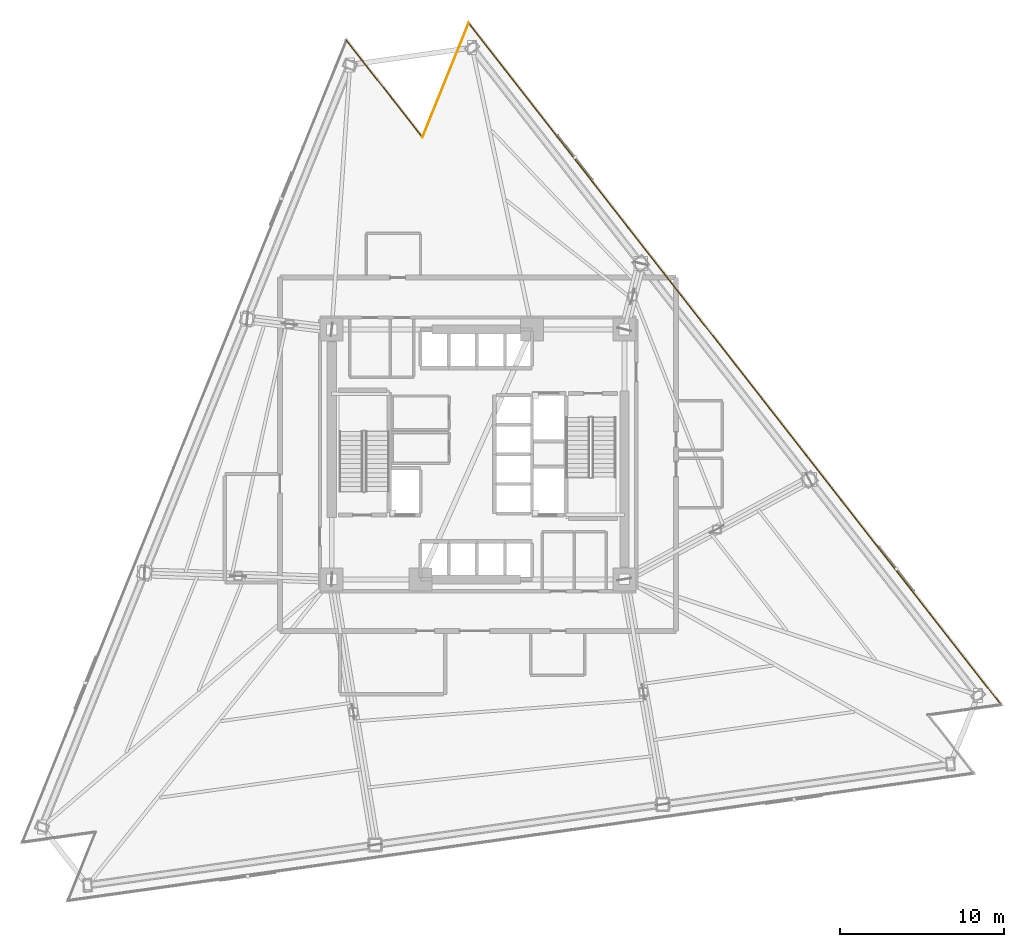
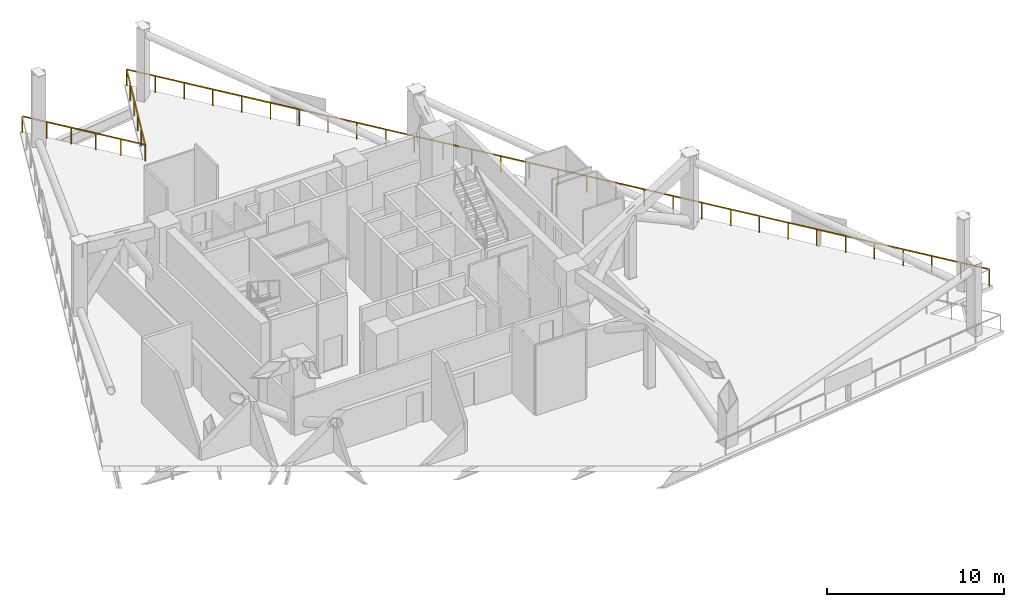
# One storey, part 13 of 13: 3 railings.
"""IFC4 building model written with IfcOpenShell, lengths in metres."""

from ifc_helpers import new_model, si_unit, direction, frame, origin, origin_2d, place, context, subcontext, project, spatial, rectangle, extrude, material, type_object, element, save


model = new_model("IFC4")

# Units and contexts
model_context = context("Model", 3, precision=1e-05, world=origin(), true_north=direction((0.0, 1.0)))
body_context = subcontext(model_context, "Body", "Model", "MODEL_VIEW")
ifc_project = project(units=[si_unit("LENGTHUNIT", "METRE"), si_unit("AREAUNIT", "SQUARE_METRE"), si_unit("VOLUMEUNIT", "CUBIC_METRE"), si_unit("PLANEANGLEUNIT", "RADIAN"), si_unit("MASSUNIT", "GRAM", prefix="KILO")], contexts=[model_context])

# Site, building, storey
site_placement = place(None, origin())
site = spatial("IfcSite", under=ifc_project, at=site_placement, CompositionType="ELEMENT")
building_placement = place(site_placement, origin())
building = spatial("IfcBuilding", under=site, at=building_placement, Name="Tharavind Bronze Gate", CompositionType="ELEMENT")
storey_placement = place(building_placement, frame((0.0, 0.0, 81.10009765625)))
storey = spatial("IfcBuildingStorey", under=building, at=storey_placement, Name="L20", CompositionType="ELEMENT", Elevation=81.10009765625)

# Railings
ifc_material = material(Name="Bronze Cap & Laminated Glass", Category="glass")
railing_type = type_object("IfcRailingType", Name="TERRACE GLASS GUARD RAILING 1150", PredefinedType="GUARDRAIL", material=ifc_material)
railing_1_placement = place(storey_placement, frame((-0.57373046875, 26.226806640625, 0.0)))
element("IfcRailing", 1, at=railing_1_placement, inside=storey, type_object=railing_type, Name="L20 open wind floor perimeter guard railing 1", PredefinedType="GUARDRAIL", context=body_context, shape_type="SweptSolid", body=[
    extrude(rectangle(XDim=0.048095703125, YDim=0.048095703125, at=origin_2d()), frame((-0.011962890625, -0.02978515625, 1.1259765625), z_axis=(-0.374609979755, -0.92718248639, 0.0), x_axis=(0.92718248639, -0.374609979755, 0.0)), (0.0, 0.0, 1.0), 7.43603515625),
    extrude(rectangle(XDim=0.0400390625, YDim=0.0400390625, at=origin_2d()), origin(), (0.0, 0.0, 1.0), 1.097900390625),
    extrude(rectangle(XDim=0.0400390625, YDim=0.0400390625, at=origin_2d()), frame((-0.56201171875, -1.390869140625, 0.0)), (0.0, 0.0, 1.0), 1.097900390625),
    extrude(rectangle(XDim=0.0400390625, YDim=0.0400390625, at=origin_2d()), frame((-1.123779296875, -2.781494140625, 0.0)), (0.0, 0.0, 1.0), 1.097900390625),
    extrude(rectangle(XDim=0.0400390625, YDim=0.0400390625, at=origin_2d()), frame((-1.685791015625, -4.17236328125, 0.0)), (0.0, 0.0, 1.0), 1.097900390625),
    extrude(rectangle(XDim=0.0400390625, YDim=0.0400390625, at=origin_2d()), frame((-2.24755859375, -5.56298828125, 0.0)), (0.0, 0.0, 1.0), 1.097900390625),
    extrude(rectangle(XDim=0.0400390625, YDim=0.0400390625, at=origin_2d()), frame((-2.8095703125, -6.953857421875, 0.0)), (0.0, 0.0, 1.0), 1.097900390625),
])
railing_2_placement = place(storey_placement, frame((-3.38330078125, 19.27294921875, 0.0)))
element("IfcRailing", 2, at=railing_2_placement, inside=storey, type_object=railing_type, Name="L20 open wind floor perimeter guard railing 2", PredefinedType="GUARDRAIL", context=body_context, shape_type="SweptSolid", body=[
    extrude(rectangle(XDim=0.048095703125, YDim=0.048095703125, at=origin_2d()), frame((-0.019775390625, 0.025146484375, 1.1259765625), z_axis=(-0.615654149001, 0.788016477504, 0.0), x_axis=(-0.788016477504, -0.615654149001, 0.0)), (0.0, 0.0, 1.0), 7.43603515625),
    extrude(rectangle(XDim=0.0400390625, YDim=0.0400390625, at=origin_2d()), origin(), (0.0, 0.0, 1.0), 1.097900390625),
    extrude(rectangle(XDim=0.0400390625, YDim=0.0400390625, at=origin_2d()), frame((-0.923583984375, 1.18212890625, 0.0)), (0.0, 0.0, 1.0), 1.097900390625),
    extrude(rectangle(XDim=0.0400390625, YDim=0.0400390625, at=origin_2d()), frame((-1.846923828125, 2.364013671875, 0.0)), (0.0, 0.0, 1.0), 1.097900390625),
    extrude(rectangle(XDim=0.0400390625, YDim=0.0400390625, at=origin_2d()), frame((-2.7705078125, 3.546142578125, 0.0)), (0.0, 0.0, 1.0), 1.097900390625),
    extrude(rectangle(XDim=0.0400390625, YDim=0.0400390625, at=origin_2d()), frame((-3.69384765625, 4.72802734375, 0.0)), (0.0, 0.0, 1.0), 1.097900390625),
    extrude(rectangle(XDim=0.0400390625, YDim=0.0400390625, at=origin_2d()), frame((-4.617431640625, 5.91015625, 0.0)), (0.0, 0.0, 1.0), 1.097900390625),
])
railing_3_placement = place(storey_placement, frame((31.8134765625, -15.226806640625, 0.0)))
element("IfcRailing", 3, at=railing_3_placement, inside=storey, type_object=railing_type, Name="L20 open wind floor perimeter guard railing 9", PredefinedType="GUARDRAIL", context=body_context, shape_type="SweptSolid", body=[
    extrude(rectangle(XDim=0.048095703125, YDim=0.048095703125, at=origin_2d()), frame((-0.019775390625, 0.025146484375, 1.1259765625), z_axis=(-0.615662594448, 0.788009879251, 0.0), x_axis=(-0.788009879251, -0.615662594448, 0.0)), (0.0, 0.0, 1.0), 52.54150390625),
    extrude(rectangle(XDim=0.0400390625, YDim=0.0400390625, at=origin_2d()), origin(), (0.0, 0.0, 1.0), 1.097900390625),
    extrude(rectangle(XDim=0.0400390625, YDim=0.0400390625, at=origin_2d()), frame((-1.07958984375, 1.3818359375, 0.0)), (0.0, 0.0, 1.0), 1.097900390625),
    extrude(rectangle(XDim=0.0400390625, YDim=0.0400390625, at=origin_2d()), frame((-2.1591796875, 2.763671875, 0.0)), (0.0, 0.0, 1.0), 1.097900390625),
    extrude(rectangle(XDim=0.0400390625, YDim=0.0400390625, at=origin_2d()), frame((-3.23876953125, 4.145263671875, 0.0)), (0.0, 0.0, 1.0), 1.097900390625),
    extrude(rectangle(XDim=0.0400390625, YDim=0.0400390625, at=origin_2d()), frame((-4.318359375, 5.527099609375, 0.0)), (0.0, 0.0, 1.0), 1.097900390625),
    extrude(rectangle(XDim=0.0400390625, YDim=0.0400390625, at=origin_2d()), frame((-5.39794921875, 6.908935546875, 0.0)), (0.0, 0.0, 1.0), 1.097900390625),
    extrude(rectangle(XDim=0.0400390625, YDim=0.0400390625, at=origin_2d()), frame((-6.4775390625, 8.290771484375, 0.0)), (0.0, 0.0, 1.0), 1.097900390625),
    extrude(rectangle(XDim=0.0400390625, YDim=0.0400390625, at=origin_2d()), frame((-7.55712890625, 9.672607421875, 0.0)), (0.0, 0.0, 1.0), 1.097900390625),
    extrude(rectangle(XDim=0.0400390625, YDim=0.0400390625, at=origin_2d()), frame((-8.636474609375, 11.05419921875, 0.0)), (0.0, 0.0, 1.0), 1.097900390625),
    extrude(rectangle(XDim=0.0400390625, YDim=0.0400390625, at=origin_2d()), frame((-9.716064453125, 12.43603515625, 0.0)), (0.0, 0.0, 1.0), 1.097900390625),
    extrude(rectangle(XDim=0.0400390625, YDim=0.0400390625, at=origin_2d()), frame((-10.795654296875, 13.81787109375, 0.0)), (0.0, 0.0, 1.0), 1.097900390625),
    extrude(rectangle(XDim=0.0400390625, YDim=0.0400390625, at=origin_2d()), frame((-11.875244140625, 15.19970703125, 0.0)), (0.0, 0.0, 1.0), 1.097900390625),
    extrude(rectangle(XDim=0.0400390625, YDim=0.0400390625, at=origin_2d()), frame((-12.954833984375, 16.58154296875, 0.0)), (0.0, 0.0, 1.0), 1.097900390625),
    extrude(rectangle(XDim=0.0400390625, YDim=0.0400390625, at=origin_2d()), frame((-14.034423828125, 17.963134765625, 0.0)), (0.0, 0.0, 1.0), 1.097900390625),
    extrude(rectangle(XDim=0.0400390625, YDim=0.0400390625, at=origin_2d()), frame((-15.114013671875, 19.344970703125, 0.0)), (0.0, 0.0, 1.0), 1.097900390625),
    extrude(rectangle(XDim=0.0400390625, YDim=0.0400390625, at=origin_2d()), frame((-16.193603515625, 20.726806640625, 0.0)), (0.0, 0.0, 1.0), 1.097900390625),
    extrude(rectangle(XDim=0.0400390625, YDim=0.0400390625, at=origin_2d()), frame((-17.273193359375, 22.108642578125, 0.0)), (0.0, 0.0, 1.0), 1.097900390625),
    extrude(rectangle(XDim=0.0400390625, YDim=0.0400390625, at=origin_2d()), frame((-18.352783203125, 23.490478515625, 0.0)), (0.0, 0.0, 1.0), 1.097900390625),
    extrude(rectangle(XDim=0.0400390625, YDim=0.0400390625, at=origin_2d()), frame((-19.432373046875, 24.8720703125, 0.0)), (0.0, 0.0, 1.0), 1.097900390625),
    extrude(rectangle(XDim=0.0400390625, YDim=0.0400390625, at=origin_2d()), frame((-20.511962890625, 26.25390625, 0.0)), (0.0, 0.0, 1.0), 1.097900390625),
    extrude(rectangle(XDim=0.0400390625, YDim=0.0400390625, at=origin_2d()), frame((-21.591552734375, 27.6357421875, 0.0)), (0.0, 0.0, 1.0), 1.097900390625),
    extrude(rectangle(XDim=0.0400390625, YDim=0.0400390625, at=origin_2d()), frame((-22.671142578125, 29.017578125, 0.0)), (0.0, 0.0, 1.0), 1.097900390625),
    extrude(rectangle(XDim=0.0400390625, YDim=0.0400390625, at=origin_2d()), frame((-23.750732421875, 30.3994140625, 0.0)), (0.0, 0.0, 1.0), 1.097900390625),
    extrude(rectangle(XDim=0.0400390625, YDim=0.0400390625, at=origin_2d()), frame((-24.830078125, 31.781005859375, 0.0)), (0.0, 0.0, 1.0), 1.097900390625),
    extrude(rectangle(XDim=0.0400390625, YDim=0.0400390625, at=origin_2d()), frame((-25.90966796875, 33.162841796875, 0.0)), (0.0, 0.0, 1.0), 1.097900390625),
    extrude(rectangle(XDim=0.0400390625, YDim=0.0400390625, at=origin_2d()), frame((-26.9892578125, 34.544677734375, 0.0)), (0.0, 0.0, 1.0), 1.097900390625),
    extrude(rectangle(XDim=0.0400390625, YDim=0.0400390625, at=origin_2d()), frame((-28.06884765625, 35.926513671875, 0.0)), (0.0, 0.0, 1.0), 1.097900390625),
    extrude(rectangle(XDim=0.0400390625, YDim=0.0400390625, at=origin_2d()), frame((-29.1484375, 37.308349609375, 0.0)), (0.0, 0.0, 1.0), 1.097900390625),
    extrude(rectangle(XDim=0.0400390625, YDim=0.0400390625, at=origin_2d()), frame((-30.22802734375, 38.68994140625, 0.0)), (0.0, 0.0, 1.0), 1.097900390625),
    extrude(rectangle(XDim=0.0400390625, YDim=0.0400390625, at=origin_2d()), frame((-31.3076171875, 40.07177734375, 0.0)), (0.0, 0.0, 1.0), 1.097900390625),
    extrude(rectangle(XDim=0.0400390625, YDim=0.0400390625, at=origin_2d()), frame((-32.38720703125, 41.45361328125, 0.0)), (0.0, 0.0, 1.0), 1.097900390625),
])

save(model, "model.ifc")
